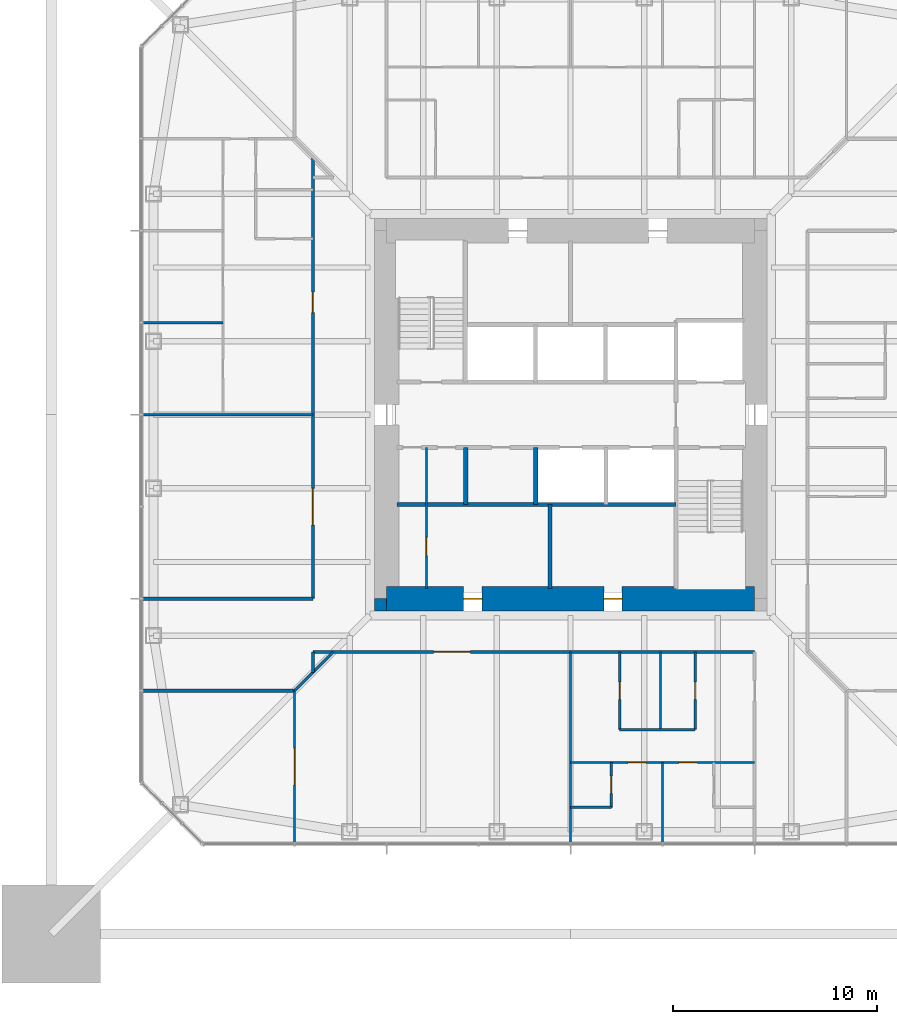
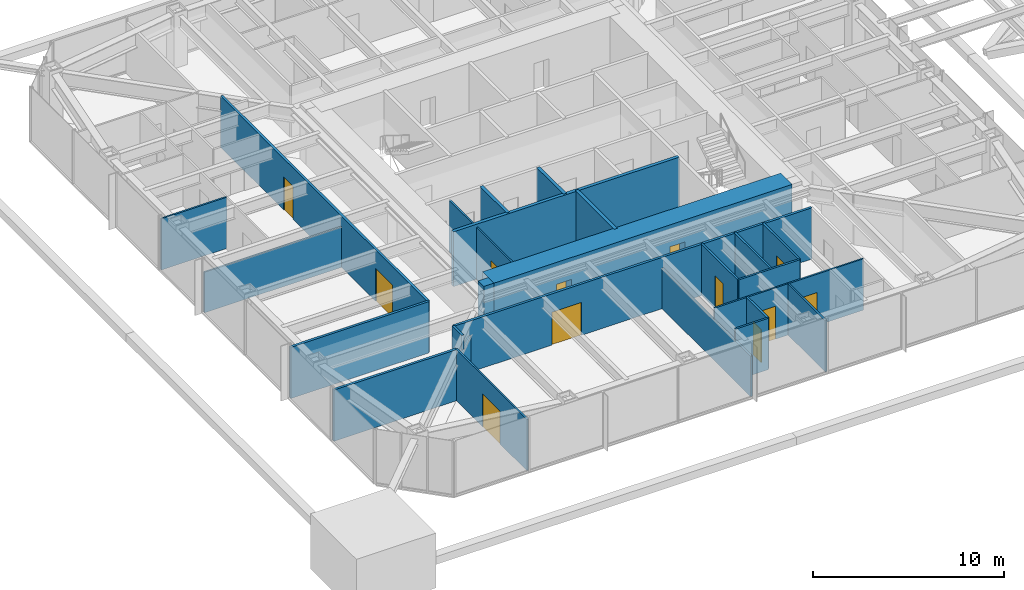
# One storey, part 14 of 26: 25 walls, 12 doors, 12 openings.
"""IFC4 building model written with IfcOpenShell, lengths in metres."""

from ifc_helpers import new_model, si_unit, direction, frame, frame_2d, origin, place, context, subcontext, project, spatial, rectangle, extrude, material, layer, layer_set, type_object, element, fill, save


model = new_model("IFC4")

# Units and contexts
model_context = context("Model", 3, precision=1e-05, world=origin(), true_north=direction((0.0, 1.0)))
body_context = subcontext(model_context, "Body", "Model", "MODEL_VIEW")
ifc_project = project(units=[si_unit("LENGTHUNIT", "METRE"), si_unit("AREAUNIT", "SQUARE_METRE"), si_unit("VOLUMEUNIT", "CUBIC_METRE"), si_unit("PLANEANGLEUNIT", "RADIAN"), si_unit("MASSUNIT", "GRAM", prefix="KILO")], contexts=[model_context])

# Site, building, storey
site_placement = place(None, origin())
site = spatial("IfcSite", under=ifc_project, at=site_placement, CompositionType="ELEMENT")
building_placement = place(site_placement, origin())
building = spatial("IfcBuilding", under=site, at=building_placement, Name="Iwan Alto Co-Living Towers", CompositionType="ELEMENT")
storey_placement = place(building_placement, frame((0.0, 0.0, 126.0)))
storey = spatial("IfcBuildingStorey", under=building, at=storey_placement, Name="L34", CompositionType="ELEMENT", Elevation=126.0)

# Wall
ifc_material_1 = material(Name="Gypsum board")
ifc_layer_1 = layer(ifc_material_1, 0.02490234375, Name="Board", Category="Finish")
ifc_material_2 = material(Name="Steel ASTM A1003 ST33H cold-formed studs", Category="steel")
ifc_layer_2 = layer(ifc_material_2, 0.10009765625, Name="Studs", Category="Framing")
ifc_layer_3 = layer(ifc_material_1, 0.02490234375, Name="Board", Category="Finish")
ifc_layer_set_1 = layer_set([ifc_layer_1, ifc_layer_2, ifc_layer_3], Name="CORRIDOR WALL 150")
wall_type_1 = type_object("IfcWallType", Name="CORRIDOR WALL 150", PredefinedType="PARTITIONING", material=ifc_layer_set_1)
wall_1_placement = place(storey_placement, frame((-20.93994140625, -13.5, 0.0), z_axis=(0.0, 0.0, 1.0), x_axis=(1.0, 0.0, 0.0)))
element("IfcWall", 1, at=wall_1_placement, inside=storey, type_object=wall_type_1, Name="Partition L34", PredefinedType="PARTITIONING", context=body_context, shape_type="SweptSolid", body=[
    extrude(rectangle(XDim=7.43994140625, YDim=0.14990234375, at=frame_2d((3.719970703125, 0.0))), origin(), (0.0, 0.0, 1.0), 3.27001953125),
])

# Wall, opening, door
wall_2_placement = place(storey_placement, frame((-12.60009765625, -11.60009765625, 0.0), z_axis=(0.0, 0.0, 1.0), x_axis=(1.0, 0.0, 0.0)))
wall_2 = element("IfcWall", 2, at=wall_2_placement, inside=storey, type_object=wall_type_1, Name="Partition L34", PredefinedType="PARTITIONING", context=body_context, shape_type="SweptSolid", body=[
    extrude(rectangle(XDim=21.60009765625, YDim=0.14990234375, at=frame_2d((10.800048828125, 0.0))), origin(), (0.0, 0.0, 1.0), 3.27001953125),
])
opening_1_placement = place(wall_2_placement, frame((5.89990234375, 0.0, 0.0)))
opening_1 = element("IfcOpeningElement", 3, at=opening_1_placement, cuts=wall_2, Name="Opening D9", PredefinedType="OPENING", context=body_context, shape_type="SweptSolid", body=[
    extrude(rectangle(XDim=1.800048828125, YDim=2.10009765625, at=frame_2d((0.89990234375, 1.050048828125))), frame((0.0, 0.0849609375, 0.0), z_axis=(0.0, -1.0, 0.0), x_axis=(1.0, 0.0, 0.0)), (0.0, 0.0, 1.0), 0.169921875),
])
ifc_material_3 = material(Name="Steel frame with timber leaf", Category="steel")
door_type_1 = type_object("IfcDoorType", Name="LOUNGE DOOR FD30S 1800X2100", OperationType="DOUBLE_DOOR_SINGLE_SWING", PredefinedType="DOOR", material=ifc_material_3)
door_1_placement = place(opening_1_placement, frame((1.800048828125, 0.0, 0.0), z_axis=(0.0, 0.0, 1.0), x_axis=(-1.0, 0.0, 0.0)))
door_1 = element("IfcDoor", 4, at=door_1_placement, inside=storey, type_object=door_type_1, Name="Study commons door L34", OperationType="DOUBLE_DOOR_SINGLE_SWING", OverallHeight=2.10009765625, OverallWidth=1.800048828125, PredefinedType="DOOR", context=body_context, shape_type="SweptSolid", body=[
    extrude(rectangle(XDim=1.800048828125, YDim=2.10009765625, at=frame_2d((0.89990234375, 1.050048828125))), frame((0.0, 0.02490234375, 0.0), z_axis=(0.0, -1.0, 0.0), x_axis=(1.0, 0.0, 0.0)), (0.0, 0.0, 1.0), 0.050048828125),
])
fill(opening_1, door_1)

# Walls
wall_3_placement = place(storey_placement, frame((-20.93994140625, -9.0, 0.0), z_axis=(0.0, 0.0, 1.0), x_axis=(1.0, 0.0, 0.0)))
element("IfcWall", 5, at=wall_3_placement, inside=storey, type_object=wall_type_1, Name="Partition L34", PredefinedType="PARTITIONING", context=body_context, shape_type="SweptSolid", body=[
    extrude(rectangle(XDim=8.33984375, YDim=0.14990234375, at=frame_2d((4.169921875, 0.0))), origin(), (0.0, 0.0, 1.0), 3.27001953125),
])
wall_4_placement = place(storey_placement, frame((-13.5, -13.5, 0.0), z_axis=(0.0, 0.0, 1.0), x_axis=(0.707106781187, 0.707106781187, 0.0)))
element("IfcWall", 6, at=wall_4_placement, inside=storey, type_object=wall_type_1, Name="Partition L34", PredefinedType="PARTITIONING", context=body_context, shape_type="SweptSolid", body=[
    extrude(rectangle(XDim=2.686767578125, YDim=0.14990234375, at=frame_2d((1.34326171875, 0.0))), origin(), (0.0, 0.0, 1.0), 2.343017578125),
])
wall_5_placement = place(storey_placement, frame((-12.60009765625, -12.60009765625, 0.0), z_axis=(0.0, 0.0, 1.0), x_axis=(0.0, 1.0, 0.0)))
element("IfcWall", 7, at=wall_5_placement, inside=storey, type_object=wall_type_1, Name="Partition L34", PredefinedType="PARTITIONING", context=body_context, shape_type="SweptSolid", body=[
    extrude(rectangle(XDim=1.0, YDim=0.14990234375, at=frame_2d((0.5, 0.0))), origin(), (0.0, 0.0, 1.0), 3.27001953125),
])

# Wall, openings, doors
wall_6_placement = place(storey_placement, frame((-12.60009765625, -9.0, 0.0), z_axis=(0.0, 0.0, 1.0), x_axis=(0.0, 1.0, 0.0)))
wall_6 = element("IfcWall", 8, at=wall_6_placement, inside=storey, type_object=wall_type_1, Name="Partition L34", PredefinedType="PARTITIONING", context=body_context, shape_type="SweptSolid", body=[
    extrude(rectangle(XDim=21.60009765625, YDim=0.14990234375, at=frame_2d((10.800048828125, 0.0))), origin(), (0.0, 0.0, 1.0), 3.27001953125),
])
opening_2_placement = place(wall_6_placement, frame((14.0, 0.0, 0.0)))
opening_2 = element("IfcOpeningElement", 9, at=opening_2_placement, cuts=wall_6, Name="Opening D3", PredefinedType="OPENING", context=body_context, shape_type="SweptSolid", body=[
    extrude(rectangle(XDim=1.0, YDim=2.10009765625, at=frame_2d((0.5, 1.050048828125))), frame((0.0, 0.0849609375, 0.0), z_axis=(0.0, -1.0, 0.0), x_axis=(1.0, 0.0, 0.0)), (0.0, 0.0, 1.0), 0.169921875),
])
opening_3_placement = place(wall_6_placement, frame((3.60009765625, 0.0, 0.0)))
opening_3 = element("IfcOpeningElement", 10, at=opening_3_placement, cuts=wall_6, Name="Opening D9", PredefinedType="OPENING", context=body_context, shape_type="SweptSolid", body=[
    extrude(rectangle(XDim=1.800048828125, YDim=2.10009765625, at=frame_2d((0.89990234375, 1.050048828125))), frame((0.0, 0.0849609375, 0.0), z_axis=(0.0, -1.0, 0.0), x_axis=(1.0, 0.0, 0.0)), (0.0, 0.0, 1.0), 0.169921875),
])
ifc_material_4 = material(Name="Steel frame with timber leaf", Category="steel")
door_type_2 = type_object("IfcDoorType", Name="FLAT ENTRANCE DOOR FD30S 1000X2100", OperationType="SINGLE_SWING_LEFT", PredefinedType="DOOR", material=ifc_material_4)
door_2_placement = place(opening_2_placement, origin())
door_2 = element("IfcDoor", 11, at=door_2_placement, inside=storey, type_object=door_type_2, Name="Cluster lounge door L34", OperationType="SINGLE_SWING_RIGHT", OverallHeight=2.10009765625, OverallWidth=1.0, PredefinedType="DOOR", context=body_context, shape_type="SweptSolid", body=[
    extrude(rectangle(XDim=1.0, YDim=2.10009765625, at=frame_2d((0.5, 1.050048828125))), frame((0.0, 0.02490234375, 0.0), z_axis=(0.0, -1.0, 0.0), x_axis=(1.0, 0.0, 0.0)), (0.0, 0.0, 1.0), 0.050048828125),
])
fill(opening_2, door_2)
door_3_placement = place(opening_3_placement, origin())
door_3 = element("IfcDoor", 12, at=door_3_placement, inside=storey, type_object=door_type_1, Name="Study commons door L34", OperationType="DOUBLE_DOOR_SINGLE_SWING", OverallHeight=2.10009765625, OverallWidth=1.800048828125, PredefinedType="DOOR", context=body_context, shape_type="SweptSolid", body=[
    extrude(rectangle(XDim=1.800048828125, YDim=2.10009765625, at=frame_2d((0.89990234375, 1.050048828125))), frame((0.0, 0.02490234375, 0.0), z_axis=(0.0, -1.0, 0.0), x_axis=(1.0, 0.0, 0.0)), (0.0, 0.0, 1.0), 0.050048828125),
])
fill(opening_3, door_3)

ifc_layer_4 = layer(ifc_material_1, 0.012451171875, Name="Board", Category="Finish")
ifc_layer_5 = layer(ifc_material_2, 0.074951171875, Name="Studs", Category="Framing")
ifc_layer_6 = layer(ifc_material_1, 0.012451171875, Name="Board", Category="Finish")
ifc_layer_set_2 = layer_set([ifc_layer_4, ifc_layer_5, ifc_layer_6], Name="PARTITION 100")
wall_type_2 = type_object("IfcWallType", Name="PARTITION 100", PredefinedType="PARTITIONING", material=ifc_layer_set_2)
wall_7_placement = place(storey_placement, frame((0.0, -17.0, 0.0), z_axis=(0.0, 0.0, 1.0), x_axis=(1.0, 0.0, 0.0)))
wall_7 = element("IfcWall", 13, at=wall_7_placement, inside=storey, type_object=wall_type_2, Name="Partition L34", PredefinedType="PARTITIONING", context=body_context, shape_type="SweptSolid", body=[
    extrude(rectangle(XDim=9.0, YDim=0.10009765625, at=frame_2d((4.5, 0.0))), origin(), (0.0, 0.0, 1.0), 3.27001953125),
])
opening_4_placement = place(wall_7_placement, frame((2.800048828125, 0.0, 0.0)))
opening_4 = element("IfcOpeningElement", 14, at=opening_4_placement, cuts=wall_7, Name="Opening D1", PredefinedType="OPENING", context=body_context, shape_type="SweptSolid", body=[
    extrude(rectangle(XDim=0.89990234375, YDim=2.10009765625, at=frame_2d((0.449951171875, 1.050048828125))), frame((0.0, 0.06005859375, 0.0), z_axis=(0.0, -1.0, 0.0), x_axis=(1.0, 0.0, 0.0)), (0.0, 0.0, 1.0), 0.1201171875),
])
opening_5_placement = place(wall_7_placement, frame((5.300048828125, 0.0, 0.0)))
opening_5 = element("IfcOpeningElement", 15, at=opening_5_placement, cuts=wall_7, Name="Opening D1", PredefinedType="OPENING", context=body_context, shape_type="SweptSolid", body=[
    extrude(rectangle(XDim=0.89990234375, YDim=2.10009765625, at=frame_2d((0.449951171875, 1.050048828125))), frame((0.0, 0.06005859375, 0.0), z_axis=(0.0, -1.0, 0.0), x_axis=(1.0, 0.0, 0.0)), (0.0, 0.0, 1.0), 0.1201171875),
])
ifc_material_5 = material(Name="Timber leaf in steel frame", Category="steel")
door_type_3 = type_object("IfcDoorType", Name="BEDROOM DOOR 900X2100", OperationType="SINGLE_SWING_LEFT", PredefinedType="DOOR", material=ifc_material_5)
door_4_placement = place(opening_4_placement, origin())
door_4 = element("IfcDoor", 16, at=door_4_placement, inside=storey, type_object=door_type_3, Name="Study bedroom door L34", OperationType="SINGLE_SWING_LEFT", OverallHeight=2.10009765625, OverallWidth=0.89990234375, PredefinedType="DOOR", context=body_context, shape_type="SweptSolid", body=[
    extrude(rectangle(XDim=0.89990234375, YDim=2.10009765625, at=frame_2d((0.449951171875, 1.050048828125))), frame((0.0, 0.02490234375, 0.0), z_axis=(0.0, -1.0, 0.0), x_axis=(1.0, 0.0, 0.0)), (0.0, 0.0, 1.0), 0.050048828125),
])
fill(opening_4, door_4)
door_5_placement = place(opening_5_placement, origin())
door_5 = element("IfcDoor", 17, at=door_5_placement, inside=storey, type_object=door_type_3, Name="Study bedroom door L34", OperationType="SINGLE_SWING_RIGHT", OverallHeight=2.10009765625, OverallWidth=0.89990234375, PredefinedType="DOOR", context=body_context, shape_type="SweptSolid", body=[
    extrude(rectangle(XDim=0.89990234375, YDim=2.10009765625, at=frame_2d((0.449951171875, 1.050048828125))), frame((0.0, 0.02490234375, 0.0), z_axis=(0.0, -1.0, 0.0), x_axis=(1.0, 0.0, 0.0)), (0.0, 0.0, 1.0), 0.050048828125),
])
fill(opening_5, door_5)

# Walls
wall_8_placement = place(storey_placement, frame((-20.93994140625, 0.0, 0.0), z_axis=(0.0, 0.0, 1.0), x_axis=(1.0, 0.0, 0.0)))
element("IfcWall", 18, at=wall_8_placement, inside=storey, type_object=wall_type_2, Name="Partition L34", PredefinedType="PARTITIONING", context=body_context, shape_type="SweptSolid", body=[
    extrude(rectangle(XDim=8.33984375, YDim=0.10009765625, at=frame_2d((4.169921875, 0.0))), origin(), (0.0, 0.0, 1.0), 2.586669921875),
])
for number, where, z_axis, x_axis, name in (
    (19, (-20.93994140625, 4.5, 0.0), (0.0, 0.0, 1.0), (1.0, 0.0, 0.0), "Partition L34"),
    (20, (4.5, -20.93994140625, 0.0), (0.0, 0.0, 1.0), (0.0, 1.0, 0.0), "Partition L34"),
):
    element("IfcWall", number, at=place(storey_placement, frame(where, z_axis=z_axis, x_axis=x_axis)), inside=storey, type_object=wall_type_2, Name=name, PredefinedType="PARTITIONING", context=body_context, shape_type="SweptSolid", body=[
        extrude(rectangle(XDim=3.93994140625, YDim=0.10009765625, at=frame_2d((1.969970703125, 0.0))), origin(), (0.0, 0.0, 1.0), 3.27001953125),
    ])
wall_9_placement = place(storey_placement, frame((0.0, -20.93994140625, 0.0), z_axis=(0.0, 0.0, 1.0), x_axis=(0.0, 1.0, 0.0)))
element("IfcWall", 21, at=wall_9_placement, inside=storey, type_object=wall_type_2, Name="Partition L34", PredefinedType="PARTITIONING", context=body_context, shape_type="SweptSolid", body=[
    extrude(rectangle(XDim=9.33984375, YDim=0.10009765625, at=frame_2d((4.669921875, 0.0))), origin(), (0.0, 0.0, 1.0), 2.586669921875),
])

# Wall, opening, door
wall_10_placement = place(storey_placement, frame((-7.050048828125, -8.489990234375, 0.0), z_axis=(0.0, 0.0, 1.0), x_axis=(0.0, 1.0, 0.0)))
wall_10 = element("IfcWall", 22, at=wall_10_placement, inside=storey, type_object=wall_type_2, Name="Partition L34", PredefinedType="PARTITIONING", context=body_context, shape_type="SweptSolid", body=[
    extrude(rectangle(XDim=6.889892578125, YDim=0.10009765625, at=frame_2d((3.44482421875, 0.0))), origin(), (0.0, 0.0, 1.0), 3.300048828125),
])
opening_6_placement = place(wall_10_placement, frame((1.594970703125, 0.0, 0.0)))
opening_6 = element("IfcOpeningElement", 23, at=opening_6_placement, cuts=wall_10, Name="Opening D16", PredefinedType="OPENING", context=body_context, shape_type="SweptSolid", body=[
    extrude(rectangle(XDim=0.89990234375, YDim=2.10009765625, at=frame_2d((0.449951171875, 1.050048828125))), frame((0.0, 0.06005859375, 0.0), z_axis=(0.0, -1.0, 0.0), x_axis=(1.0, 0.0, 0.0)), (0.0, 0.0, 1.0), 0.1201171875),
])
ifc_material_6 = material(Name="Timber leaf in steel frame", Category="steel")
door_type_4 = type_object("IfcDoorType", Name="CUPBOARD SLIDING DOOR 900X2100", OperationType="SLIDING_TO_LEFT", PredefinedType="DOOR", material=ifc_material_6)
door_6_placement = place(opening_6_placement, origin())
door_6 = element("IfcDoor", 24, at=door_6_placement, inside=storey, type_object=door_type_4, Name="Recycling store door L34", OperationType="SLIDING_TO_RIGHT", OverallHeight=2.10009765625, OverallWidth=0.89990234375, PredefinedType="DOOR", context=body_context, shape_type="SweptSolid", body=[
    extrude(rectangle(XDim=0.89990234375, YDim=2.10009765625, at=frame_2d((0.449951171875, 1.050048828125))), frame((0.0, 0.02490234375, 0.0), z_axis=(0.0, -1.0, 0.0), x_axis=(1.0, 0.0, 0.0)), (0.0, 0.0, 1.0), 0.050048828125),
])
fill(opening_6, door_6)

wall_11_placement = place(storey_placement, frame((-13.5, -20.93994140625, 0.0), z_axis=(0.0, 0.0, 1.0), x_axis=(0.0, 1.0, 0.0)))
wall_11 = element("IfcWall", 25, at=wall_11_placement, inside=storey, type_object=wall_type_2, Name="Partition L34", PredefinedType="PARTITIONING", context=body_context, shape_type="SweptSolid", body=[
    extrude(rectangle(XDim=7.43994140625, YDim=0.10009765625, at=frame_2d((3.719970703125, 0.0))), origin(), (0.0, 0.0, 1.0), 3.27001953125),
])
opening_7_placement = place(wall_11_placement, frame((2.820068359375, 0.0, 0.0)))
opening_7 = element("IfcOpeningElement", 26, at=opening_7_placement, cuts=wall_11, Name="Opening D14", PredefinedType="OPENING", context=body_context, shape_type="SweptSolid", body=[
    extrude(rectangle(XDim=1.800048828125, YDim=2.10009765625, at=frame_2d((0.89990234375, 1.050048828125))), frame((0.0, 0.06005859375, 0.0), z_axis=(0.0, -1.0, 0.0), x_axis=(1.0, 0.0, 0.0)), (0.0, 0.0, 1.0), 0.1201171875),
])
ifc_material_7 = material(Name="Timber leaf in steel frame", Category="steel")
door_type_5 = type_object("IfcDoorType", Name="LOUNGE DOOR 1800X2100", OperationType="DOUBLE_DOOR_SINGLE_SWING", PredefinedType="DOOR", material=ifc_material_7)
door_7_placement = place(opening_7_placement, frame((1.800048828125, 0.0, 0.0), z_axis=(0.0, 0.0, 1.0), x_axis=(-1.0, 0.0, 0.0)))
door_7 = element("IfcDoor", 27, at=door_7_placement, inside=storey, type_object=door_type_5, Name="Study lounge door L34", OperationType="DOUBLE_DOOR_SINGLE_SWING", OverallHeight=2.10009765625, OverallWidth=1.800048828125, PredefinedType="DOOR", context=body_context, shape_type="SweptSolid", body=[
    extrude(rectangle(XDim=1.800048828125, YDim=2.10009765625, at=frame_2d((0.89990234375, 1.050048828125))), frame((0.0, 0.02490234375, 0.0), z_axis=(0.0, -1.0, 0.0), x_axis=(1.0, 0.0, 0.0)), (0.0, 0.0, 1.0), 0.050048828125),
])
fill(opening_7, door_7)

# Walls
ifc_material_8 = material(Name="Concrete f'c 70 MPa", Category="concrete")
ifc_layer_7 = layer(ifc_material_8, 0.199951171875)
ifc_layer_set_3 = layer_set([ifc_layer_7], Name="SHAFT WALL 200")
wall_type_3 = type_object("IfcWallType", Name="SHAFT WALL 200", PredefinedType="SOLIDWALL", material=ifc_layer_set_3)
wall_12_placement = place(storey_placement, frame((-8.489990234375, -4.39990234375, 0.0), z_axis=(0.0, 0.0, 1.0), x_axis=(1.0, 0.0, 0.0)))
element("IfcWall", 28, at=wall_12_placement, inside=storey, type_object=wall_type_3, Name="Shaft wall L34", PredefinedType="SOLIDWALL", context=body_context, shape_type="SweptSolid", body=[
    extrude(rectangle(XDim=13.639892578125, YDim=0.199951171875, at=frame_2d((6.81982421875, 0.0))), origin(), (0.0, 0.0, 1.0), 3.5),
])
wall_13_placement = place(storey_placement, frame((-1.0, -8.489990234375, 0.0), z_axis=(0.0, 0.0, 1.0), x_axis=(0.0, 1.0, 0.0)))
element("IfcWall", 29, at=wall_13_placement, inside=storey, type_object=wall_type_3, Name="Shaft wall L34", PredefinedType="SOLIDWALL", context=body_context, shape_type="SweptSolid", body=[
    extrude(rectangle(XDim=4.090087890625, YDim=0.199951171875, at=frame_2d((2.044921875, 0.0))), origin(), (0.0, 0.0, 1.0), 3.5),
])
for number, where, z_axis, x_axis, name in (
    (30, (-1.699951171875, -4.39990234375, 0.0), (0.0, 0.0, 1.0), (0.0, 1.0, 0.0), "Shaft wall L34"),
    (31, (-5.125, -4.39990234375, 0.0), (0.0, 0.0, 1.0), (0.0, 1.0, 0.0), "Shaft wall L34"),
):
    element("IfcWall", number, at=place(storey_placement, frame(where, z_axis=z_axis, x_axis=x_axis)), inside=storey, type_object=wall_type_3, Name=name, PredefinedType="SOLIDWALL", context=body_context, shape_type="SweptSolid", body=[
        extrude(rectangle(XDim=2.7998046875, YDim=0.199951171875, at=frame_2d((1.39990234375, 0.0))), origin(), (0.0, 0.0, 1.0), 3.5),
    ])
ifc_material_9 = material(Name="Concrete f'c 70 MPa", Category="concrete")
ifc_layer_8 = layer(ifc_material_9, 0.60009765625)
ifc_layer_set_4 = layer_set([ifc_layer_8], Name="T1 CORE CORNER FILL 600")
wall_type_4 = type_object("IfcWallType", Name="T1 CORE CORNER FILL 600", PredefinedType="SOLIDWALL", material=ifc_layer_set_4)
wall_14_placement = place(storey_placement, frame((-9.60009765625, -9.300048828125, 0.0), z_axis=(0.0, 0.0, 1.0), x_axis=(1.0, 0.0, 0.0)))
element("IfcWall", 32, at=wall_14_placement, inside=storey, type_object=wall_type_4, Name="T1 core corner SW L34", PredefinedType="SOLIDWALL", context=body_context, shape_type="SweptSolid", body=[
    extrude(rectangle(XDim=0.60009765625, YDim=0.60009765625, at=frame_2d((0.300048828125, 0.0))), origin(), (0.0, 0.0, 1.0), 3.5),
])

# Wall, openings, doors
ifc_material_10 = material(Name="Concrete f'c 70 MPa", Category="concrete")
ifc_layer_9 = layer(ifc_material_10, 1.199951171875)
ifc_layer_set_5 = layer_set([ifc_layer_9], Name="T1 CORE WALL 1200")
wall_type_5 = type_object("IfcWallType", Name="T1 CORE WALL 1200", PredefinedType="SHEAR", material=ifc_layer_set_5)
wall_15_placement = place(storey_placement, frame((-9.0, -9.0, 0.0), z_axis=(0.0, 0.0, 1.0), x_axis=(1.0, 0.0, 0.0)))
wall_15 = element("IfcWall", 33, at=wall_15_placement, inside=storey, type_object=wall_type_5, Name="T1 core wall S L34", PredefinedType="SHEAR", context=body_context, shape_type="SweptSolid", body=[
    extrude(rectangle(XDim=18.0, YDim=1.199951171875, at=frame_2d((9.0, 0.0))), origin(), (0.0, 0.0, 1.0), 3.5),
])
opening_8_placement = place(wall_15_placement, frame((3.77490234375, 0.0, 0.0)))
opening_8 = element("IfcOpeningElement", 34, at=opening_8_placement, cuts=wall_15, Name="Opening D8", PredefinedType="OPENING", context=body_context, shape_type="SweptSolid", body=[
    extrude(rectangle(XDim=0.89990234375, YDim=2.10009765625, at=frame_2d((0.449951171875, 1.050048828125))), frame((0.0, 0.60986328125, 0.0), z_axis=(0.0, -1.0, 0.0), x_axis=(1.0, 0.0, 0.0)), (0.0, 0.0, 1.0), 1.219970703125),
])
opening_9_placement = place(wall_15_placement, frame((10.625, 0.0, 0.0)))
opening_9 = element("IfcOpeningElement", 35, at=opening_9_placement, cuts=wall_15, Name="Opening D8", PredefinedType="OPENING", context=body_context, shape_type="SweptSolid", body=[
    extrude(rectangle(XDim=0.89990234375, YDim=2.10009765625, at=frame_2d((0.449951171875, 1.050048828125))), frame((0.0, 0.60986328125, 0.0), z_axis=(0.0, -1.0, 0.0), x_axis=(1.0, 0.0, 0.0)), (0.0, 0.0, 1.0), 1.219970703125),
])
ifc_material_11 = material(Name="Steel frame with timber leaf", Category="steel")
door_type_6 = type_object("IfcDoorType", Name="RISER DOOR FD120 900X2100", OperationType="SINGLE_SWING_LEFT", PredefinedType="DOOR", material=ifc_material_11)
door_8_placement = place(opening_8_placement, origin())
door_8 = element("IfcDoor", 36, at=door_8_placement, inside=storey, type_object=door_type_6, Name="Refuse room core door L34", OperationType="SINGLE_SWING_LEFT", OverallHeight=2.10009765625, OverallWidth=0.89990234375, PredefinedType="DOOR", context=body_context, shape_type="SweptSolid", body=[
    extrude(rectangle(XDim=0.89990234375, YDim=2.10009765625, at=frame_2d((0.449951171875, 1.050048828125))), frame((0.0, 0.02490234375, 0.0), z_axis=(0.0, -1.0, 0.0), x_axis=(1.0, 0.0, 0.0)), (0.0, 0.0, 1.0), 0.050048828125),
])
fill(opening_8, door_8)
door_9_placement = place(opening_9_placement, origin())
door_9 = element("IfcDoor", 37, at=door_9_placement, inside=storey, type_object=door_type_6, Name="Telecom riser core door L34", OperationType="SINGLE_SWING_LEFT", OverallHeight=2.10009765625, OverallWidth=0.89990234375, PredefinedType="DOOR", context=body_context, shape_type="SweptSolid", body=[
    extrude(rectangle(XDim=0.89990234375, YDim=2.10009765625, at=frame_2d((0.449951171875, 1.050048828125))), frame((0.0, 0.02490234375, 0.0), z_axis=(0.0, -1.0, 0.0), x_axis=(1.0, 0.0, 0.0)), (0.0, 0.0, 1.0), 0.050048828125),
])
fill(opening_9, door_9)

# Walls
ifc_material_12 = material(Name="Cement board")
ifc_layer_10 = layer(ifc_material_12, 0.012451171875, Name="Board", Category="Finish")
ifc_layer_11 = layer(ifc_material_2, 0.094970703125, Name="Studs", Category="Framing")
ifc_layer_12 = layer(ifc_material_12, 0.012451171875, Name="Board", Category="Finish")
ifc_layer_set_6 = layer_set([ifc_layer_10, ifc_layer_11, ifc_layer_12], Name="WET AREA PARTITION 120")
wall_type_6 = type_object("IfcWallType", Name="WET AREA PARTITION 120", PredefinedType="PARTITIONING", material=ifc_layer_set_6)
wall_16_placement = place(storey_placement, frame((0.0, -19.199951171875, 0.0), z_axis=(0.0, 0.0, 1.0), x_axis=(1.0, 0.0, 0.0)))
element("IfcWall", 38, at=wall_16_placement, inside=storey, type_object=wall_type_6, Name="Partition L34", PredefinedType="PARTITIONING", context=body_context, shape_type="SweptSolid", body=[
    extrude(rectangle(XDim=2.0, YDim=0.1201171875, at=frame_2d((1.0, 0.0))), origin(), (0.0, 0.0, 1.0), 3.27001953125),
])
wall_17_placement = place(storey_placement, frame((2.39990234375, -15.39990234375, 0.0), z_axis=(0.0, 0.0, 1.0), x_axis=(1.0, 0.0, 0.0)))
element("IfcWall", 39, at=wall_17_placement, inside=storey, type_object=wall_type_6, Name="Partition L34", PredefinedType="PARTITIONING", context=body_context, shape_type="SweptSolid", body=[
    extrude(rectangle(XDim=3.7001953125, YDim=0.1201171875, at=frame_2d((1.85009765625, 0.0))), origin(), (0.0, 0.0, 1.0), 3.27001953125),
])

# Wall, opening, door
wall_18_placement = place(storey_placement, frame((6.10009765625, -15.39990234375, 0.0), z_axis=(0.0, 0.0, 1.0), x_axis=(0.0, 1.0, 0.0)))
wall_18 = element("IfcWall", 40, at=wall_18_placement, inside=storey, type_object=wall_type_6, Name="Partition L34", PredefinedType="PARTITIONING", context=body_context, shape_type="SweptSolid", body=[
    extrude(rectangle(XDim=3.7998046875, YDim=0.1201171875, at=frame_2d((1.89990234375, 0.0))), origin(), (0.0, 0.0, 1.0), 3.27001953125),
])
opening_10_placement = place(wall_18_placement, frame((1.47509765625, 0.0, 0.0)))
opening_10 = element("IfcOpeningElement", 41, at=opening_10_placement, cuts=wall_18, Name="Opening D2", PredefinedType="OPENING", context=body_context, shape_type="SweptSolid", body=[
    extrude(rectangle(XDim=0.85009765625, YDim=2.10009765625, at=frame_2d((0.425048828125, 1.050048828125))), frame((0.0, 0.070068359375, 0.0), z_axis=(0.0, -1.0, 0.0), x_axis=(1.0, 0.0, 0.0)), (0.0, 0.0, 1.0), 0.14013671875),
])
ifc_material_13 = material(Name="Timber leaf in steel frame", Category="steel")
door_type_7 = type_object("IfcDoorType", Name="ROOM DOOR 850X2100", OperationType="SINGLE_SWING_LEFT", PredefinedType="DOOR", material=ifc_material_13)
door_10_placement = place(opening_10_placement, frame((0.85009765625, 0.0, 0.0), z_axis=(0.0, 0.0, 1.0), x_axis=(-1.0, 0.0, 0.0)))
door_10 = element("IfcDoor", 42, at=door_10_placement, inside=storey, type_object=door_type_7, Name="Bathroom door L34", OperationType="SINGLE_SWING_LEFT", OverallHeight=2.10009765625, OverallWidth=0.85009765625, PredefinedType="DOOR", context=body_context, shape_type="SweptSolid", body=[
    extrude(rectangle(XDim=0.85009765625, YDim=2.10009765625, at=frame_2d((0.425048828125, 1.050048828125))), frame((0.0, 0.02490234375, 0.0), z_axis=(0.0, -1.0, 0.0), x_axis=(1.0, 0.0, 0.0)), (0.0, 0.0, 1.0), 0.050048828125),
])
fill(opening_10, door_10)

# Wall
wall_19_placement = place(storey_placement, frame((4.39990234375, -15.39990234375, 0.0), z_axis=(0.0, 0.0, 1.0), x_axis=(0.0, 1.0, 0.0)))
element("IfcWall", 43, at=wall_19_placement, inside=storey, type_object=wall_type_6, Name="Partition L34", PredefinedType="PARTITIONING", context=body_context, shape_type="SweptSolid", body=[
    extrude(rectangle(XDim=3.7998046875, YDim=0.1201171875, at=frame_2d((1.89990234375, 0.0))), origin(), (0.0, 0.0, 1.0), 3.27001953125),
])

# Wall, opening, door
wall_20_placement = place(storey_placement, frame((2.39990234375, -15.39990234375, 0.0), z_axis=(0.0, 0.0, 1.0), x_axis=(0.0, 1.0, 0.0)))
wall_20 = element("IfcWall", 44, at=wall_20_placement, inside=storey, type_object=wall_type_6, Name="Partition L34", PredefinedType="PARTITIONING", context=body_context, shape_type="SweptSolid", body=[
    extrude(rectangle(XDim=3.7998046875, YDim=0.1201171875, at=frame_2d((1.89990234375, 0.0))), origin(), (0.0, 0.0, 1.0), 3.27001953125),
])
opening_11_placement = place(wall_20_placement, frame((1.47509765625, 0.0, 0.0)))
opening_11 = element("IfcOpeningElement", 45, at=opening_11_placement, cuts=wall_20, Name="Opening D2", PredefinedType="OPENING", context=body_context, shape_type="SweptSolid", body=[
    extrude(rectangle(XDim=0.85009765625, YDim=2.10009765625, at=frame_2d((0.425048828125, 1.050048828125))), frame((0.0, 0.070068359375, 0.0), z_axis=(0.0, -1.0, 0.0), x_axis=(1.0, 0.0, 0.0)), (0.0, 0.0, 1.0), 0.14013671875),
])
door_11_placement = place(opening_11_placement, origin())
door_11 = element("IfcDoor", 46, at=door_11_placement, inside=storey, type_object=door_type_7, Name="Laundry door L34", OperationType="SINGLE_SWING_RIGHT", OverallHeight=2.10009765625, OverallWidth=0.85009765625, PredefinedType="DOOR", context=body_context, shape_type="SweptSolid", body=[
    extrude(rectangle(XDim=0.85009765625, YDim=2.10009765625, at=frame_2d((0.425048828125, 1.050048828125))), frame((0.0, 0.02490234375, 0.0), z_axis=(0.0, -1.0, 0.0), x_axis=(1.0, 0.0, 0.0)), (0.0, 0.0, 1.0), 0.050048828125),
])
fill(opening_11, door_11)

wall_21_placement = place(storey_placement, frame((2.0, -19.199951171875, 0.0), z_axis=(0.0, 0.0, 1.0), x_axis=(0.0, 1.0, 0.0)))
wall_21 = element("IfcWall", 47, at=wall_21_placement, inside=storey, type_object=wall_type_6, Name="Partition L34", PredefinedType="PARTITIONING", context=body_context, shape_type="SweptSolid", body=[
    extrude(rectangle(XDim=2.199951171875, YDim=0.1201171875, at=frame_2d((1.10009765625, 0.0))), origin(), (0.0, 0.0, 1.0), 3.27001953125),
])
opening_12_placement = place(wall_21_placement, frame((0.675048828125, 0.0, 0.0)))
opening_12 = element("IfcOpeningElement", 48, at=opening_12_placement, cuts=wall_21, Name="Opening D2", PredefinedType="OPENING", context=body_context, shape_type="SweptSolid", body=[
    extrude(rectangle(XDim=0.85009765625, YDim=2.10009765625, at=frame_2d((0.425048828125, 1.050048828125))), frame((0.0, 0.070068359375, 0.0), z_axis=(0.0, -1.0, 0.0), x_axis=(1.0, 0.0, 0.0)), (0.0, 0.0, 1.0), 0.14013671875),
])
door_12_placement = place(opening_12_placement, frame((0.85009765625, 0.0, 0.0), z_axis=(0.0, 0.0, 1.0), x_axis=(-1.0, 0.0, 0.0)))
door_12 = element("IfcDoor", 49, at=door_12_placement, inside=storey, type_object=door_type_7, Name="En-suite shower room door L34", OperationType="SINGLE_SWING_LEFT", OverallHeight=2.10009765625, OverallWidth=0.85009765625, PredefinedType="DOOR", context=body_context, shape_type="SweptSolid", body=[
    extrude(rectangle(XDim=0.85009765625, YDim=2.10009765625, at=frame_2d((0.425048828125, 1.050048828125))), frame((0.0, 0.02490234375, 0.0), z_axis=(0.0, -1.0, 0.0), x_axis=(1.0, 0.0, 0.0)), (0.0, 0.0, 1.0), 0.050048828125),
])
fill(opening_12, door_12)

save(model, "model.ifc")
